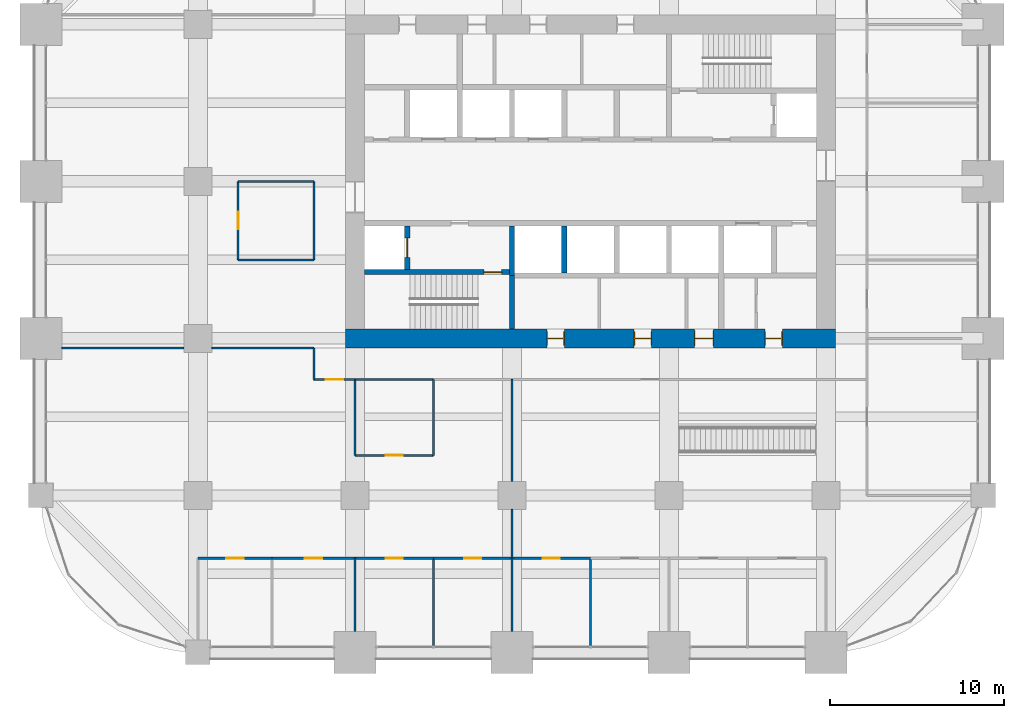
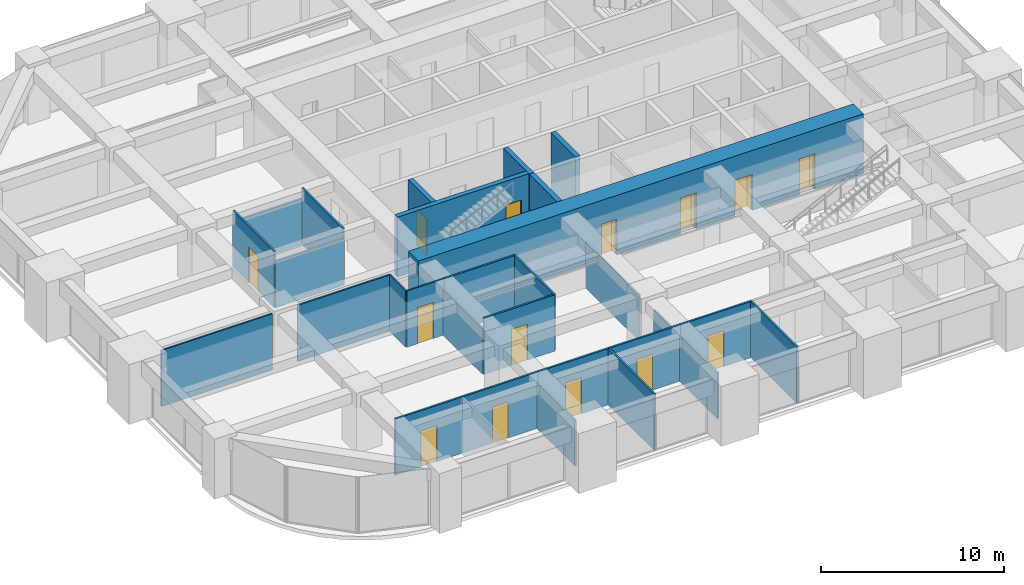
# One storey, part 29 of 34: 29 walls, 14 doors, 14 openings.
"""IFC4 building model written with IfcOpenShell, lengths in metres."""

from ifc_helpers import new_model, si_unit, direction, frame, frame_2d, origin, place, context, subcontext, project, spatial, rectangle, extrude, material, layer, layer_set, type_object, element, fill, save


model = new_model("IFC4")

# Units and contexts
model_context = context("Model", 3, precision=1e-05, world=origin(), true_north=direction((0.0, 1.0)))
body_context = subcontext(model_context, "Body", "Model", "MODEL_VIEW")
ifc_project = project(units=[si_unit("LENGTHUNIT", "METRE"), si_unit("AREAUNIT", "SQUARE_METRE"), si_unit("VOLUMEUNIT", "CUBIC_METRE"), si_unit("PLANEANGLEUNIT", "RADIAN"), si_unit("MASSUNIT", "GRAM", prefix="KILO")], contexts=[model_context])

# Site, building, storey
site_placement = place(None, origin())
site = spatial("IfcSite", under=ifc_project, at=site_placement, CompositionType="ELEMENT")
building_placement = place(site_placement, origin())
building = spatial("IfcBuilding", under=site, at=building_placement, Name="Zorevar Civic Tower", CompositionType="ELEMENT")
storey_placement = place(building_placement, frame((0.0, 0.0, 174.199951171875)))
storey = spatial("IfcBuildingStorey", under=building, at=storey_placement, Name="L42", CompositionType="ELEMENT", Elevation=174.199951171875)

# Wall, openings, doors
ifc_material_1 = material(Name="Concrete C50/60", Category="concrete")
ifc_layer_1 = layer(ifc_material_1, 1.10009765625)
ifc_layer_set_1 = layer_set([ifc_layer_1], Name="Core wall 1100")
wall_type_1 = type_object("IfcWallType", Name="Core wall 1100", PredefinedType="SHEAR", material=ifc_layer_set_1)
wall_1_placement = place(storey_placement, frame((17.449951171875, 18.0, 0.0), z_axis=(0.0, 0.0, 1.0), x_axis=(1.0, 0.0, 0.0)))
wall_1 = element("IfcWall", 1, at=wall_1_placement, inside=storey, type_object=wall_type_1, Name="Core wall S L42", PredefinedType="SHEAR", context=body_context, shape_type="SweptSolid", body=[
    extrude(rectangle(XDim=28.10009765625, YDim=1.10009765625, at=frame_2d((14.050048828125, 0.0))), origin(), (0.0, 0.0, 1.0), 4.0),
])
opening_1_placement = place(wall_1_placement, frame((11.550048828125, 0.0, 0.0)))
opening_1 = element("IfcOpeningElement", 2, at=opening_1_placement, cuts=wall_1, Name="Opening L42.03", PredefinedType="OPENING", context=body_context, shape_type="SweptSolid", body=[
    extrude(rectangle(XDim=1.0, YDim=2.39990234375, at=frame_2d((0.5, 1.199951171875))), frame((0.0, 0.56005859375, 0.0), z_axis=(0.0, -1.0, 0.0), x_axis=(1.0, 0.0, 0.0)), (0.0, 0.0, 1.0), 1.1201171875),
])
opening_2_placement = place(wall_1_placement, frame((16.550048828125, 0.0, 0.0)))
opening_2 = element("IfcOpeningElement", 3, at=opening_2_placement, cuts=wall_1, Name="Opening L42.04", PredefinedType="OPENING", context=body_context, shape_type="SweptSolid", body=[
    extrude(rectangle(XDim=1.0, YDim=2.39990234375, at=frame_2d((0.5, 1.199951171875))), frame((0.0, 0.56005859375, 0.0), z_axis=(0.0, -1.0, 0.0), x_axis=(1.0, 0.0, 0.0)), (0.0, 0.0, 1.0), 1.1201171875),
])
opening_3_placement = place(wall_1_placement, frame((20.0, 0.0, 0.0)))
opening_3 = element("IfcOpeningElement", 4, at=opening_3_placement, cuts=wall_1, Name="Opening L42.05", PredefinedType="OPENING", context=body_context, shape_type="SweptSolid", body=[
    extrude(rectangle(XDim=1.10009765625, YDim=2.39990234375, at=frame_2d((0.550048828125, 1.199951171875))), frame((0.0, 0.56005859375, 0.0), z_axis=(0.0, -1.0, 0.0), x_axis=(1.0, 0.0, 0.0)), (0.0, 0.0, 1.0), 1.1201171875),
])
opening_4_placement = place(wall_1_placement, frame((24.050048828125, 0.0, 0.0)))
opening_4 = element("IfcOpeningElement", 5, at=opening_4_placement, cuts=wall_1, Name="Opening L42.06", PredefinedType="OPENING", context=body_context, shape_type="SweptSolid", body=[
    extrude(rectangle(XDim=1.0, YDim=2.39990234375, at=frame_2d((0.5, 1.199951171875))), frame((0.0, 0.56005859375, 0.0), z_axis=(0.0, -1.0, 0.0), x_axis=(1.0, 0.0, 0.0)), (0.0, 0.0, 1.0), 1.1201171875),
])
ifc_material_2 = material(Name="Timber door set", Category="wood")
door_type_1 = type_object("IfcDoorType", Name="Door D1 1000x2400", OperationType="SINGLE_SWING_LEFT", PredefinedType="DOOR", material=ifc_material_2)
door_1_placement = place(opening_1_placement, origin())
door_1 = element("IfcDoor", 6, at=door_1_placement, inside=storey, type_object=door_type_1, Name="Door L42 02", OperationType="SINGLE_SWING_RIGHT", OverallHeight=2.39990234375, OverallWidth=1.0, PredefinedType="DOOR", context=body_context, shape_type="SweptSolid", body=[
    extrude(rectangle(XDim=1.0, YDim=2.39990234375, at=frame_2d((0.5, 1.199951171875))), frame((0.0, 0.02490234375, 0.0), z_axis=(0.0, -1.0, 0.0), x_axis=(1.0, 0.0, 0.0)), (0.0, 0.0, 1.0), 0.050048828125),
    extrude(rectangle(XDim=0.04, YDim=2.39990234375, at=frame_2d((0.02001953125, 1.199951171875))), frame((0.0, 0.39990234375, 0.0), z_axis=(0.0, -1.0, 0.0), x_axis=(1.0, 0.0, 0.0)), (0.0, 0.0, 1.0), 0.800048828125),
    extrude(rectangle(XDim=0.04, YDim=2.39990234375, at=frame_2d((0.97998046875, 1.199951171875))), frame((0.0, 0.39990234375, 0.0), z_axis=(0.0, -1.0, 0.0), x_axis=(1.0, 0.0, 0.0)), (0.0, 0.0, 1.0), 0.800048828125),
    extrude(rectangle(XDim=1.0, YDim=0.04, at=frame_2d((0.5, 2.3798828125))), frame((0.0, 0.39990234375, 0.0), z_axis=(0.0, -1.0, 0.0), x_axis=(1.0, 0.0, 0.0)), (0.0, 0.0, 1.0), 0.800048828125),
])
fill(opening_1, door_1)
door_2_placement = place(opening_2_placement, origin())
door_2 = element("IfcDoor", 7, at=door_2_placement, inside=storey, type_object=door_type_1, Name="Door L42 03", OperationType="SINGLE_SWING_LEFT", OverallHeight=2.39990234375, OverallWidth=1.0, PredefinedType="DOOR", context=body_context, shape_type="SweptSolid", body=[
    extrude(rectangle(XDim=1.0, YDim=2.39990234375, at=frame_2d((0.5, 1.199951171875))), frame((0.0, 0.02490234375, 0.0), z_axis=(0.0, -1.0, 0.0), x_axis=(1.0, 0.0, 0.0)), (0.0, 0.0, 1.0), 0.050048828125),
    extrude(rectangle(XDim=0.04, YDim=2.39990234375, at=frame_2d((0.02001953125, 1.199951171875))), frame((0.0, 0.39990234375, 0.0), z_axis=(0.0, -1.0, 0.0), x_axis=(1.0, 0.0, 0.0)), (0.0, 0.0, 1.0), 0.800048828125),
    extrude(rectangle(XDim=0.04, YDim=2.39990234375, at=frame_2d((0.97998046875, 1.199951171875))), frame((0.0, 0.39990234375, 0.0), z_axis=(0.0, -1.0, 0.0), x_axis=(1.0, 0.0, 0.0)), (0.0, 0.0, 1.0), 0.800048828125),
    extrude(rectangle(XDim=1.0, YDim=0.04, at=frame_2d((0.5, 2.3798828125))), frame((0.0, 0.39990234375, 0.0), z_axis=(0.0, -1.0, 0.0), x_axis=(1.0, 0.0, 0.0)), (0.0, 0.0, 1.0), 0.800048828125),
])
fill(opening_2, door_2)
door_3_placement = place(opening_4_placement, origin())
door_3 = element("IfcDoor", 8, at=door_3_placement, inside=storey, type_object=door_type_1, Name="Door L42 05", OperationType="SINGLE_SWING_LEFT", OverallHeight=2.39990234375, OverallWidth=1.0, PredefinedType="DOOR", context=body_context, shape_type="SweptSolid", body=[
    extrude(rectangle(XDim=1.0, YDim=2.39990234375, at=frame_2d((0.5, 1.199951171875))), frame((0.0, 0.02490234375, 0.0), z_axis=(0.0, -1.0, 0.0), x_axis=(1.0, 0.0, 0.0)), (0.0, 0.0, 1.0), 0.050048828125),
    extrude(rectangle(XDim=0.04, YDim=2.39990234375, at=frame_2d((0.02001953125, 1.199951171875))), frame((0.0, 0.39990234375, 0.0), z_axis=(0.0, -1.0, 0.0), x_axis=(1.0, 0.0, 0.0)), (0.0, 0.0, 1.0), 0.800048828125),
    extrude(rectangle(XDim=0.04, YDim=2.39990234375, at=frame_2d((0.97998046875, 1.199951171875))), frame((0.0, 0.39990234375, 0.0), z_axis=(0.0, -1.0, 0.0), x_axis=(1.0, 0.0, 0.0)), (0.0, 0.0, 1.0), 0.800048828125),
    extrude(rectangle(XDim=1.0, YDim=0.04, at=frame_2d((0.5, 2.3798828125))), frame((0.0, 0.39990234375, 0.0), z_axis=(0.0, -1.0, 0.0), x_axis=(1.0, 0.0, 0.0)), (0.0, 0.0, 1.0), 0.800048828125),
])
fill(opening_4, door_3)
ifc_material_3 = material(Name="Timber door set", Category="wood")
door_type_2 = type_object("IfcDoorType", Name="Door D5 1100x2400", OperationType="SINGLE_SWING_LEFT", PredefinedType="DOOR", material=ifc_material_3)
door_4_placement = place(opening_3_placement, origin())
door_4 = element("IfcDoor", 9, at=door_4_placement, inside=storey, type_object=door_type_2, Name="Door L42 04", OperationType="SINGLE_SWING_LEFT", OverallHeight=2.39990234375, OverallWidth=1.10009765625, PredefinedType="DOOR", context=body_context, shape_type="SweptSolid", body=[
    extrude(rectangle(XDim=1.10009765625, YDim=2.39990234375, at=frame_2d((0.550048828125, 1.199951171875))), frame((0.0, 0.02490234375, 0.0), z_axis=(0.0, -1.0, 0.0), x_axis=(1.0, 0.0, 0.0)), (0.0, 0.0, 1.0), 0.050048828125),
    extrude(rectangle(XDim=0.04, YDim=2.39990234375, at=frame_2d((0.02001953125, 1.199951171875))), frame((0.0, 0.43994140625, 0.0), z_axis=(0.0, -1.0, 0.0), x_axis=(1.0, 0.0, 0.0)), (0.0, 0.0, 1.0), 0.880126953125),
    extrude(rectangle(XDim=0.04, YDim=2.39990234375, at=frame_2d((1.080078125, 1.199951171875))), frame((0.0, 0.43994140625, 0.0), z_axis=(0.0, -1.0, 0.0), x_axis=(1.0, 0.0, 0.0)), (0.0, 0.0, 1.0), 0.880126953125),
    extrude(rectangle(XDim=1.10009765625, YDim=0.04, at=frame_2d((0.550048828125, 2.3798828125))), frame((0.0, 0.43994140625, 0.0), z_axis=(0.0, -1.0, 0.0), x_axis=(1.0, 0.0, 0.0)), (0.0, 0.0, 1.0), 0.880126953125),
])
fill(opening_3, door_4)

# Wall, opening, door
ifc_material_4 = material(Name="Laminated glass in black aluminium frame", Category="aluminium")
ifc_layer_2 = layer(ifc_material_4, 0.10009765625)
ifc_layer_set_2 = layer_set([ifc_layer_2], Name="Glazed partition 100")
wall_type_2 = type_object("IfcWallType", Name="Glazed partition 100", PredefinedType="PARTITIONING", material=ifc_layer_set_2)
wall_2_placement = place(storey_placement, frame((15.64990234375, 15.64990234375, 0.0), z_axis=(0.0, 0.0, 1.0), x_axis=(1.0, 0.0, 0.0)))
wall_2 = element("IfcWall", 10, at=wall_2_placement, inside=storey, type_object=wall_type_2, Name="Glazed partition 100 L42", PredefinedType="PARTITIONING", context=body_context, shape_type="SweptSolid", body=[
    extrude(rectangle(XDim=2.35009765625, YDim=0.10009765625, at=frame_2d((1.175048828125, 0.0))), origin(), (0.0, 0.0, 1.0), 3.75),
])
opening_5_placement = place(wall_2_placement, frame((0.675048828125, 0.0, 0.0)))
opening_5 = element("IfcOpeningElement", 11, at=opening_5_placement, cuts=wall_2, Name="Opening L42.26", PredefinedType="OPENING", context=body_context, shape_type="SweptSolid", body=[
    extrude(rectangle(XDim=1.0, YDim=2.39990234375, at=frame_2d((0.5, 1.199951171875))), frame((0.0, 0.06005859375, 0.0), z_axis=(0.0, -1.0, 0.0), x_axis=(1.0, 0.0, 0.0)), (0.0, 0.0, 1.0), 0.1201171875),
])
ifc_material_5 = material(Name="Timber door set", Category="wood")
door_type_3 = type_object("IfcDoorType", Name="Glazed door GD1 1000x2400", OperationType="SINGLE_SWING_LEFT", PredefinedType="DOOR", material=ifc_material_5)
door_5_placement = place(opening_5_placement, origin())
door_5 = element("IfcDoor", 12, at=door_5_placement, inside=storey, type_object=door_type_3, Name="Door L42 D1", OperationType="SINGLE_SWING_RIGHT", OverallHeight=2.39990234375, OverallWidth=1.0, PredefinedType="DOOR", context=body_context, shape_type="SweptSolid", body=[
    extrude(rectangle(XDim=1.0, YDim=2.39990234375, at=frame_2d((0.5, 1.199951171875))), frame((0.0, 0.02001953125, 0.0), z_axis=(0.0, -1.0, 0.0), x_axis=(1.0, 0.0, 0.0)), (0.0, 0.0, 1.0), 0.0400390625),
])
fill(opening_5, door_5)

# Walls
wall_3_placement = place(storey_placement, frame((1.199951171875, 17.449951171875, 0.0), z_axis=(0.0, 0.0, 1.0), x_axis=(1.0, 0.0, 0.0)))
element("IfcWall", 13, at=wall_3_placement, inside=storey, type_object=wall_type_2, Name="Glazed partition 100 L42", PredefinedType="PARTITIONING", context=body_context, shape_type="SweptSolid", body=[
    extrude(rectangle(XDim=7.0, YDim=0.10009765625, at=frame_2d((3.5, 0.0))), origin(), (0.0, 0.0, 1.0), 3.75),
])
wall_4_placement = place(storey_placement, frame((9.800048828125, 17.449951171875, 0.0), z_axis=(0.0, 0.0, 1.0), x_axis=(1.0, 0.0, 0.0)))
element("IfcWall", 14, at=wall_4_placement, inside=storey, type_object=wall_type_2, Name="Glazed partition 100 L42", PredefinedType="PARTITIONING", context=body_context, shape_type="SweptSolid", body=[
    extrude(rectangle(XDim=5.849853515625, YDim=0.10009765625, at=frame_2d((2.9248046875, 0.0))), origin(), (0.0, 0.0, 1.0), 3.75),
])
wall_5_placement = place(storey_placement, frame((15.64990234375, 15.64990234375, 0.0), z_axis=(0.0, 0.0, 1.0), x_axis=(0.0, 1.0, 0.0)))
element("IfcWall", 15, at=wall_5_placement, inside=storey, type_object=wall_type_2, Name="Glazed partition 100 L42", PredefinedType="PARTITIONING", context=body_context, shape_type="SweptSolid", body=[
    extrude(rectangle(XDim=1.800048828125, YDim=0.10009765625, at=frame_2d((0.89990234375, 0.0))), origin(), (0.0, 0.0, 1.0), 3.75),
])
wall_6_placement = place(storey_placement, frame((27.0, 5.39990234375, 0.0), z_axis=(0.0, 0.0, 1.0), x_axis=(0.0, 1.0, 0.0)))
element("IfcWall", 16, at=wall_6_placement, inside=storey, type_object=wall_type_2, Name="Glazed partition 100 L42", PredefinedType="PARTITIONING", context=body_context, shape_type="SweptSolid", body=[
    extrude(rectangle(XDim=2.800048828125, YDim=0.10009765625, at=frame_2d((1.39990234375, 0.0))), origin(), (0.0, 0.0, 1.0), 3.050048828125),
])
wall_7_placement = place(storey_placement, frame((27.0, 9.800048828125, 0.0), z_axis=(0.0, 0.0, 1.0), x_axis=(0.0, 1.0, 0.0)))
element("IfcWall", 17, at=wall_7_placement, inside=storey, type_object=wall_type_2, Name="Glazed partition 100 L42", PredefinedType="PARTITIONING", context=body_context, shape_type="SweptSolid", body=[
    extrude(rectangle(XDim=5.849853515625, YDim=0.10009765625, at=frame_2d((2.9248046875, 0.0))), origin(), (0.0, 0.0, 1.0), 3.050048828125),
])

# Wall, opening, door
ifc_material_6 = material(Name="Concrete C40/50", Category="concrete")
ifc_layer_3 = layer(ifc_material_6, 0.300048828125)
ifc_layer_set_3 = layer_set([ifc_layer_3], Name="Inner core wall 300")
wall_type_3 = type_object("IfcWallType", Name="Inner core wall 300", PredefinedType="SHEAR", material=ifc_layer_set_3)
wall_8_placement = place(storey_placement, frame((18.550048828125, 21.800048828125, 0.0), z_axis=(0.0, 0.0, 1.0), x_axis=(1.0, 0.0, 0.0)))
wall_8 = element("IfcWall", 18, at=wall_8_placement, inside=storey, type_object=wall_type_3, Name="Inner core wall S00 L42", PredefinedType="SHEAR", context=body_context, shape_type="SweptSolid", body=[
    extrude(rectangle(XDim=8.300048828125, YDim=0.300048828125, at=frame_2d((4.14990234375, 0.0))), origin(), (0.0, 0.0, 1.0), 4.0),
])
opening_6_placement = place(wall_8_placement, frame((6.85009765625, 0.0, 0.0)))
opening_6 = element("IfcOpeningElement", 19, at=opening_6_placement, cuts=wall_8, Name="Opening L42.11", PredefinedType="OPENING", context=body_context, shape_type="SweptSolid", body=[
    extrude(rectangle(XDim=1.0, YDim=2.39990234375, at=frame_2d((0.5, 1.199951171875))), frame((0.0, 0.159912109375, 0.0), z_axis=(0.0, -1.0, 0.0), x_axis=(1.0, 0.0, 0.0)), (0.0, 0.0, 1.0), 0.320068359375),
])
ifc_material_7 = material(Name="Steel door set", Category="steel")
door_type_4 = type_object("IfcDoorType", Name="Fire door FD1 1000x2400", OperationType="SINGLE_SWING_LEFT", PredefinedType="DOOR", material=ifc_material_7)
door_6_placement = place(opening_6_placement, origin())
door_6 = element("IfcDoor", 20, at=door_6_placement, inside=storey, type_object=door_type_4, Name="Door L42 10", OperationType="SINGLE_SWING_RIGHT", OverallHeight=2.39990234375, OverallWidth=1.0, PredefinedType="DOOR", context=body_context, shape_type="SweptSolid", body=[
    extrude(rectangle(XDim=1.0, YDim=2.39990234375, at=frame_2d((0.5, 1.199951171875))), frame((0.0, 0.030029296875, 0.0), z_axis=(0.0, -1.0, 0.0), x_axis=(1.0, 0.0, 0.0)), (0.0, 0.0, 1.0), 0.06005859375),
])
fill(opening_6, door_6)

# Wall
wall_9_placement = place(storey_placement, frame((27.0, 18.550048828125, 0.0), z_axis=(0.0, 0.0, 1.0), x_axis=(0.0, 1.0, 0.0)))
element("IfcWall", 21, at=wall_9_placement, inside=storey, type_object=wall_type_3, Name="Inner core wall S01 L42", PredefinedType="SHEAR", context=body_context, shape_type="SweptSolid", body=[
    extrude(rectangle(XDim=3.050048828125, YDim=0.300048828125, at=frame_2d((1.52490234375, 0.0))), origin(), (0.0, 0.0, 1.0), 4.0),
])

# Wall, opening, door
wall_10_placement = place(storey_placement, frame((21.0, 21.949951171875, 0.0), z_axis=(0.0, 0.0, 1.0), x_axis=(0.0, 1.0, 0.0)))
wall_10 = element("IfcWall", 22, at=wall_10_placement, inside=storey, type_object=wall_type_3, Name="Inner core wall S02 L42", PredefinedType="SHEAR", context=body_context, shape_type="SweptSolid", body=[
    extrude(rectangle(XDim=2.5, YDim=0.300048828125, at=frame_2d((1.25, 0.0))), origin(), (0.0, 0.0, 1.0), 4.0),
])
opening_7_placement = place(wall_10_placement, frame((0.699951171875, 0.0, 0.0)))
opening_7 = element("IfcOpeningElement", 23, at=opening_7_placement, cuts=wall_10, Name="Opening L42.FL1", PredefinedType="OPENING", context=body_context, shape_type="SweptSolid", body=[
    extrude(rectangle(XDim=1.10009765625, YDim=2.39990234375, at=frame_2d((0.550048828125, 1.199951171875))), frame((0.0, 0.159912109375, 0.0), z_axis=(0.0, -1.0, 0.0), x_axis=(1.0, 0.0, 0.0)), (0.0, 0.0, 1.0), 0.320068359375),
])
ifc_material_8 = material(Name="Steel door set", Category="steel")
door_type_5 = type_object("IfcDoorType", Name="Firefighting lift landing door LD3 1100x2400", OperationType="DOUBLE_DOOR_SLIDING", PredefinedType="DOOR", material=ifc_material_8)
door_7_placement = place(opening_7_placement, origin())
door_7 = element("IfcDoor", 24, at=door_7_placement, inside=storey, type_object=door_type_5, Name="Landing door FL1 L42", OperationType="DOUBLE_DOOR_SLIDING", OverallHeight=2.39990234375, OverallWidth=1.10009765625, PredefinedType="DOOR", context=body_context, shape_type="SweptSolid", body=[
    extrude(rectangle(XDim=1.10009765625, YDim=2.39990234375, at=frame_2d((0.550048828125, 1.199951171875))), frame((0.0, 0.030029296875, 0.0), z_axis=(0.0, -1.0, 0.0), x_axis=(1.0, 0.0, 0.0)), (0.0, 0.0, 1.0), 0.06005859375),
])
fill(opening_7, door_7)

# Walls
wall_11_placement = place(storey_placement, frame((30.0, 21.75, 0.0), z_axis=(0.0, 0.0, 1.0), x_axis=(0.0, 1.0, 0.0)))
element("IfcWall", 25, at=wall_11_placement, inside=storey, type_object=wall_type_3, Name="Inner core wall S05 L42", PredefinedType="SHEAR", context=body_context, shape_type="SweptSolid", body=[
    extrude(rectangle(XDim=2.699951171875, YDim=0.300048828125, at=frame_2d((1.35009765625, 0.0))), origin(), (0.0, 0.0, 1.0), 4.0),
])
wall_12_placement = place(storey_placement, frame((27.0, 21.60009765625, 0.0), z_axis=(0.0, 0.0, 1.0), x_axis=(0.0, 1.0, 0.0)))
element("IfcWall", 26, at=wall_12_placement, inside=storey, type_object=wall_type_3, Name="Inner core wall S10 L42", PredefinedType="SHEAR", context=body_context, shape_type="SweptSolid", body=[
    extrude(rectangle(XDim=2.849853515625, YDim=0.300048828125, at=frame_2d((1.4248046875, 0.0))), origin(), (0.0, 0.0, 1.0), 4.0),
])

# Wall, opening, door
ifc_material_9 = material(Name="Gypsum board on steel studs", Category="steel")
ifc_layer_4 = layer(ifc_material_9, 0.1201171875)
ifc_layer_set_4 = layer_set([ifc_layer_4], Name="Partition 120")
wall_type_4 = type_object("IfcWallType", Name="Partition 120", PredefinedType="PARTITIONING", material=ifc_layer_set_4)
wall_13_placement = place(storey_placement, frame((9.0, 5.39990234375, 0.0), z_axis=(0.0, 0.0, 1.0), x_axis=(1.0, 0.0, 0.0)))
wall_13 = element("IfcWall", 27, at=wall_13_placement, inside=storey, type_object=wall_type_4, Name="Partition 120 L42", PredefinedType="PARTITIONING", context=body_context, shape_type="SweptSolid", body=[
    extrude(rectangle(XDim=4.25, YDim=0.1201171875, at=frame_2d((2.125, 0.0))), origin(), (0.0, 0.0, 1.0), 3.75),
])
opening_8_placement = place(wall_13_placement, frame((1.625, 0.0, 0.0)))
opening_8 = element("IfcOpeningElement", 28, at=opening_8_placement, cuts=wall_13, Name="Opening L42.17", PredefinedType="OPENING", context=body_context, shape_type="SweptSolid", body=[
    extrude(rectangle(XDim=1.0, YDim=2.39990234375, at=frame_2d((0.5, 1.199951171875))), frame((0.0, 0.070068359375, 0.0), z_axis=(0.0, -1.0, 0.0), x_axis=(1.0, 0.0, 0.0)), (0.0, 0.0, 1.0), 0.14013671875),
])
door_8_placement = place(opening_8_placement, origin())
door_8 = element("IfcDoor", 29, at=door_8_placement, inside=storey, type_object=door_type_1, Name="Door L42 D1", OperationType="SINGLE_SWING_RIGHT", OverallHeight=2.39990234375, OverallWidth=1.0, PredefinedType="DOOR", context=body_context, shape_type="SweptSolid", body=[
    extrude(rectangle(XDim=1.0, YDim=2.39990234375, at=frame_2d((0.5, 1.199951171875))), frame((0.0, 0.02490234375, 0.0), z_axis=(0.0, -1.0, 0.0), x_axis=(1.0, 0.0, 0.0)), (0.0, 0.0, 1.0), 0.050048828125),
])
fill(opening_8, door_8)

wall_14_placement = place(storey_placement, frame((13.25, 5.39990234375, 0.0), z_axis=(0.0, 0.0, 1.0), x_axis=(1.0, 0.0, 0.0)))
wall_14 = element("IfcWall", 30, at=wall_14_placement, inside=storey, type_object=wall_type_4, Name="Partition 120 L42", PredefinedType="PARTITIONING", context=body_context, shape_type="SweptSolid", body=[
    extrude(rectangle(XDim=4.75, YDim=0.1201171875, at=frame_2d((2.375, 0.0))), origin(), (0.0, 0.0, 1.0), 3.75),
])
opening_9_placement = place(wall_14_placement, frame((1.875, 0.0, 0.0)))
opening_9 = element("IfcOpeningElement", 31, at=opening_9_placement, cuts=wall_14, Name="Opening L42.18", PredefinedType="OPENING", context=body_context, shape_type="SweptSolid", body=[
    extrude(rectangle(XDim=1.0, YDim=2.39990234375, at=frame_2d((0.5, 1.199951171875))), frame((0.0, 0.070068359375, 0.0), z_axis=(0.0, -1.0, 0.0), x_axis=(1.0, 0.0, 0.0)), (0.0, 0.0, 1.0), 0.14013671875),
])
door_9_placement = place(opening_9_placement, origin())
door_9 = element("IfcDoor", 32, at=door_9_placement, inside=storey, type_object=door_type_1, Name="Door L42 D1", OperationType="SINGLE_SWING_LEFT", OverallHeight=2.39990234375, OverallWidth=1.0, PredefinedType="DOOR", context=body_context, shape_type="SweptSolid", body=[
    extrude(rectangle(XDim=1.0, YDim=2.39990234375, at=frame_2d((0.5, 1.199951171875))), frame((0.0, 0.02490234375, 0.0), z_axis=(0.0, -1.0, 0.0), x_axis=(1.0, 0.0, 0.0)), (0.0, 0.0, 1.0), 0.050048828125),
])
fill(opening_9, door_9)

wall_15_placement = place(storey_placement, frame((18.0, 5.39990234375, 0.0), z_axis=(0.0, 0.0, 1.0), x_axis=(1.0, 0.0, 0.0)))
wall_15 = element("IfcWall", 33, at=wall_15_placement, inside=storey, type_object=wall_type_4, Name="Partition 120 L42", PredefinedType="PARTITIONING", context=body_context, shape_type="SweptSolid", body=[
    extrude(rectangle(XDim=4.5, YDim=0.1201171875, at=frame_2d((2.25, 0.0))), origin(), (0.0, 0.0, 1.0), 3.75),
])
opening_10_placement = place(wall_15_placement, frame((1.75, 0.0, 0.0)))
opening_10 = element("IfcOpeningElement", 34, at=opening_10_placement, cuts=wall_15, Name="Opening L42.19", PredefinedType="OPENING", context=body_context, shape_type="SweptSolid", body=[
    extrude(rectangle(XDim=1.0, YDim=2.39990234375, at=frame_2d((0.5, 1.199951171875))), frame((0.0, 0.070068359375, 0.0), z_axis=(0.0, -1.0, 0.0), x_axis=(1.0, 0.0, 0.0)), (0.0, 0.0, 1.0), 0.14013671875),
])
door_10_placement = place(opening_10_placement, origin())
door_10 = element("IfcDoor", 35, at=door_10_placement, inside=storey, type_object=door_type_1, Name="Door L42 D1", OperationType="SINGLE_SWING_LEFT", OverallHeight=2.39990234375, OverallWidth=1.0, PredefinedType="DOOR", context=body_context, shape_type="SweptSolid", body=[
    extrude(rectangle(XDim=1.0, YDim=2.39990234375, at=frame_2d((0.5, 1.199951171875))), frame((0.0, 0.02490234375, 0.0), z_axis=(0.0, -1.0, 0.0), x_axis=(1.0, 0.0, 0.0)), (0.0, 0.0, 1.0), 0.050048828125),
])
fill(opening_10, door_10)

wall_16_placement = place(storey_placement, frame((22.5, 5.39990234375, 0.0), z_axis=(0.0, 0.0, 1.0), x_axis=(1.0, 0.0, 0.0)))
wall_16 = element("IfcWall", 36, at=wall_16_placement, inside=storey, type_object=wall_type_4, Name="Partition 120 L42", PredefinedType="PARTITIONING", context=body_context, shape_type="SweptSolid", body=[
    extrude(rectangle(XDim=4.5, YDim=0.1201171875, at=frame_2d((2.25, 0.0))), origin(), (0.0, 0.0, 1.0), 3.75),
])
opening_11_placement = place(wall_16_placement, frame((1.75, 0.0, 0.0)))
opening_11 = element("IfcOpeningElement", 37, at=opening_11_placement, cuts=wall_16, Name="Opening L42.20", PredefinedType="OPENING", context=body_context, shape_type="SweptSolid", body=[
    extrude(rectangle(XDim=1.0, YDim=2.39990234375, at=frame_2d((0.5, 1.199951171875))), frame((0.0, 0.070068359375, 0.0), z_axis=(0.0, -1.0, 0.0), x_axis=(1.0, 0.0, 0.0)), (0.0, 0.0, 1.0), 0.14013671875),
])
door_11_placement = place(opening_11_placement, origin())
door_11 = element("IfcDoor", 38, at=door_11_placement, inside=storey, type_object=door_type_1, Name="Door L42 D1", OperationType="SINGLE_SWING_LEFT", OverallHeight=2.39990234375, OverallWidth=1.0, PredefinedType="DOOR", context=body_context, shape_type="SweptSolid", body=[
    extrude(rectangle(XDim=1.0, YDim=2.39990234375, at=frame_2d((0.5, 1.199951171875))), frame((0.0, 0.02490234375, 0.0), z_axis=(0.0, -1.0, 0.0), x_axis=(1.0, 0.0, 0.0)), (0.0, 0.0, 1.0), 0.050048828125),
])
fill(opening_11, door_11)

wall_17_placement = place(storey_placement, frame((27.0, 5.39990234375, 0.0), z_axis=(0.0, 0.0, 1.0), x_axis=(1.0, 0.0, 0.0)))
wall_17 = element("IfcWall", 39, at=wall_17_placement, inside=storey, type_object=wall_type_4, Name="Partition 120 L42", PredefinedType="PARTITIONING", context=body_context, shape_type="SweptSolid", body=[
    extrude(rectangle(XDim=4.5, YDim=0.1201171875, at=frame_2d((2.25, 0.0))), origin(), (0.0, 0.0, 1.0), 3.75),
])
opening_12_placement = place(wall_17_placement, frame((1.75, 0.0, 0.0)))
opening_12 = element("IfcOpeningElement", 40, at=opening_12_placement, cuts=wall_17, Name="Opening L42.21", PredefinedType="OPENING", context=body_context, shape_type="SweptSolid", body=[
    extrude(rectangle(XDim=1.0, YDim=2.39990234375, at=frame_2d((0.5, 1.199951171875))), frame((0.0, 0.070068359375, 0.0), z_axis=(0.0, -1.0, 0.0), x_axis=(1.0, 0.0, 0.0)), (0.0, 0.0, 1.0), 0.14013671875),
])
door_12_placement = place(opening_12_placement, origin())
door_12 = element("IfcDoor", 41, at=door_12_placement, inside=storey, type_object=door_type_1, Name="Door L42 D1", OperationType="SINGLE_SWING_RIGHT", OverallHeight=2.39990234375, OverallWidth=1.0, PredefinedType="DOOR", context=body_context, shape_type="SweptSolid", body=[
    extrude(rectangle(XDim=1.0, YDim=2.39990234375, at=frame_2d((0.5, 1.199951171875))), frame((0.0, 0.02490234375, 0.0), z_axis=(0.0, -1.0, 0.0), x_axis=(1.0, 0.0, 0.0)), (0.0, 0.0, 1.0), 0.050048828125),
])
fill(opening_12, door_12)

wall_18_placement = place(storey_placement, frame((18.0, 11.300048828125, 0.0), z_axis=(0.0, 0.0, 1.0), x_axis=(1.0, 0.0, 0.0)))
wall_18 = element("IfcWall", 42, at=wall_18_placement, inside=storey, type_object=wall_type_4, Name="Partition 120 L42", PredefinedType="PARTITIONING", context=body_context, shape_type="SweptSolid", body=[
    extrude(rectangle(XDim=4.5, YDim=0.1201171875, at=frame_2d((2.25, 0.0))), origin(), (0.0, 0.0, 1.0), 3.75),
])
opening_13_placement = place(wall_18_placement, frame((1.75, 0.0, 0.0)))
opening_13 = element("IfcOpeningElement", 43, at=opening_13_placement, cuts=wall_18, Name="Opening L42.25", PredefinedType="OPENING", context=body_context, shape_type="SweptSolid", body=[
    extrude(rectangle(XDim=1.0, YDim=2.39990234375, at=frame_2d((0.5, 1.199951171875))), frame((0.0, 0.070068359375, 0.0), z_axis=(0.0, -1.0, 0.0), x_axis=(1.0, 0.0, 0.0)), (0.0, 0.0, 1.0), 0.14013671875),
])
door_13_placement = place(opening_13_placement, origin())
door_13 = element("IfcDoor", 44, at=door_13_placement, inside=storey, type_object=door_type_1, Name="Door L42 D1", OperationType="SINGLE_SWING_RIGHT", OverallHeight=2.39990234375, OverallWidth=1.0, PredefinedType="DOOR", context=body_context, shape_type="SweptSolid", body=[
    extrude(rectangle(XDim=1.0, YDim=2.39990234375, at=frame_2d((0.5, 1.199951171875))), frame((0.0, 0.02490234375, 0.0), z_axis=(0.0, -1.0, 0.0), x_axis=(1.0, 0.0, 0.0)), (0.0, 0.0, 1.0), 0.050048828125),
])
fill(opening_13, door_13)

# Walls
wall_19_placement = place(storey_placement, frame((18.0, 15.64990234375, 0.0), z_axis=(0.0, 0.0, 1.0), x_axis=(1.0, 0.0, 0.0)))
element("IfcWall", 45, at=wall_19_placement, inside=storey, type_object=wall_type_4, Name="Partition 120 L42", PredefinedType="PARTITIONING", context=body_context, shape_type="SweptSolid", body=[
    extrude(rectangle(XDim=4.5, YDim=0.1201171875, at=frame_2d((2.25, 0.0))), origin(), (0.0, 0.0, 1.0), 3.75),
])
wall_20_placement = place(storey_placement, frame((11.300048828125, 22.5, 0.0), z_axis=(0.0, 0.0, 1.0), x_axis=(1.0, 0.0, 0.0)))
element("IfcWall", 46, at=wall_20_placement, inside=storey, type_object=wall_type_4, Name="Partition 120 L42", PredefinedType="PARTITIONING", context=body_context, shape_type="SweptSolid", body=[
    extrude(rectangle(XDim=4.349853515625, YDim=0.1201171875, at=frame_2d((2.1748046875, 0.0))), origin(), (0.0, 0.0, 1.0), 3.10009765625),
])
wall_21_placement = place(storey_placement, frame((11.300048828125, 27.0, 0.0), z_axis=(0.0, 0.0, 1.0), x_axis=(1.0, 0.0, 0.0)))
element("IfcWall", 47, at=wall_21_placement, inside=storey, type_object=wall_type_4, Name="Partition 120 L42", PredefinedType="PARTITIONING", context=body_context, shape_type="SweptSolid", body=[
    extrude(rectangle(XDim=4.349853515625, YDim=0.1201171875, at=frame_2d((2.1748046875, 0.0))), origin(), (0.0, 0.0, 1.0), 3.050048828125),
])

# Wall, opening, door
wall_22_placement = place(storey_placement, frame((11.300048828125, 22.5, 0.0), z_axis=(0.0, 0.0, 1.0), x_axis=(0.0, 1.0, 0.0)))
wall_22 = element("IfcWall", 48, at=wall_22_placement, inside=storey, type_object=wall_type_4, Name="Partition 120 L42", PredefinedType="PARTITIONING", context=body_context, shape_type="SweptSolid", body=[
    extrude(rectangle(XDim=4.5, YDim=0.1201171875, at=frame_2d((2.25, 0.0))), origin(), (0.0, 0.0, 1.0), 3.75),
])
opening_14_placement = place(wall_22_placement, frame((1.75, 0.0, 0.0)))
opening_14 = element("IfcOpeningElement", 49, at=opening_14_placement, cuts=wall_22, Name="Opening L42.30", PredefinedType="OPENING", context=body_context, shape_type="SweptSolid", body=[
    extrude(rectangle(XDim=1.0, YDim=2.39990234375, at=frame_2d((0.5, 1.199951171875))), frame((0.0, 0.070068359375, 0.0), z_axis=(0.0, -1.0, 0.0), x_axis=(1.0, 0.0, 0.0)), (0.0, 0.0, 1.0), 0.14013671875),
])
door_14_placement = place(opening_14_placement, origin())
door_14 = element("IfcDoor", 50, at=door_14_placement, inside=storey, type_object=door_type_1, Name="Door L42 D1", OperationType="SINGLE_SWING_RIGHT", OverallHeight=2.39990234375, OverallWidth=1.0, PredefinedType="DOOR", context=body_context, shape_type="SweptSolid", body=[
    extrude(rectangle(XDim=1.0, YDim=2.39990234375, at=frame_2d((0.5, 1.199951171875))), frame((0.0, 0.02490234375, 0.0), z_axis=(0.0, -1.0, 0.0), x_axis=(1.0, 0.0, 0.0)), (0.0, 0.0, 1.0), 0.050048828125),
])
fill(opening_14, door_14)

# Walls
wall_23_placement = place(storey_placement, frame((15.64990234375, 22.5, 0.0), z_axis=(0.0, 0.0, 1.0), x_axis=(0.0, 1.0, 0.0)))
element("IfcWall", 51, at=wall_23_placement, inside=storey, type_object=wall_type_4, Name="Partition 120 L42", PredefinedType="PARTITIONING", context=body_context, shape_type="SweptSolid", body=[
    extrude(rectangle(XDim=4.5, YDim=0.1201171875, at=frame_2d((2.25, 0.0))), origin(), (0.0, 0.0, 1.0), 3.75),
])
wall_24_placement = place(storey_placement, frame((18.0, 1.199951171875, 0.0), z_axis=(0.0, 0.0, 1.0), x_axis=(0.0, 1.0, 0.0)))
element("IfcWall", 52, at=wall_24_placement, inside=storey, type_object=wall_type_4, Name="Partition 120 L42", PredefinedType="PARTITIONING", context=body_context, shape_type="SweptSolid", body=[
    extrude(rectangle(XDim=4.199951171875, YDim=0.1201171875, at=frame_2d((2.10009765625, 0.0))), origin(), (0.0, 0.0, 1.0), 3.050048828125),
])
wall_25_placement = place(storey_placement, frame((18.0, 11.300048828125, 0.0), z_axis=(0.0, 0.0, 1.0), x_axis=(0.0, 1.0, 0.0)))
element("IfcWall", 53, at=wall_25_placement, inside=storey, type_object=wall_type_4, Name="Partition 120 L42", PredefinedType="PARTITIONING", context=body_context, shape_type="SweptSolid", body=[
    extrude(rectangle(XDim=4.349853515625, YDim=0.1201171875, at=frame_2d((2.1748046875, 0.0))), origin(), (0.0, 0.0, 1.0), 3.050048828125),
])
wall_26_placement = place(storey_placement, frame((22.5, 0.31005859375, 0.0), z_axis=(0.0, 0.0, 1.0), x_axis=(0.0, 1.0, 0.0)))
element("IfcWall", 54, at=wall_26_placement, inside=storey, type_object=wall_type_4, Name="Partition 120 L42", PredefinedType="PARTITIONING", context=body_context, shape_type="SweptSolid", body=[
    extrude(rectangle(XDim=5.08984375, YDim=0.1201171875, at=frame_2d((2.544921875, 0.0))), origin(), (0.0, 0.0, 1.0), 3.75),
])
wall_27_placement = place(storey_placement, frame((22.5, 11.300048828125, 0.0), z_axis=(0.0, 0.0, 1.0), x_axis=(0.0, 1.0, 0.0)))
element("IfcWall", 55, at=wall_27_placement, inside=storey, type_object=wall_type_4, Name="Partition 120 L42", PredefinedType="PARTITIONING", context=body_context, shape_type="SweptSolid", body=[
    extrude(rectangle(XDim=4.349853515625, YDim=0.1201171875, at=frame_2d((2.1748046875, 0.0))), origin(), (0.0, 0.0, 1.0), 3.75),
])
wall_28_placement = place(storey_placement, frame((27.0, 1.199951171875, 0.0), z_axis=(0.0, 0.0, 1.0), x_axis=(0.0, 1.0, 0.0)))
element("IfcWall", 56, at=wall_28_placement, inside=storey, type_object=wall_type_4, Name="Partition 120 L42", PredefinedType="PARTITIONING", context=body_context, shape_type="SweptSolid", body=[
    extrude(rectangle(XDim=4.199951171875, YDim=0.1201171875, at=frame_2d((2.10009765625, 0.0))), origin(), (0.0, 0.0, 1.0), 3.050048828125),
])
wall_29_placement = place(storey_placement, frame((31.5, 0.31005859375, 0.0), z_axis=(0.0, 0.0, 1.0), x_axis=(0.0, 1.0, 0.0)))
element("IfcWall", 57, at=wall_29_placement, inside=storey, type_object=wall_type_4, Name="Partition 120 L42", PredefinedType="PARTITIONING", context=body_context, shape_type="SweptSolid", body=[
    extrude(rectangle(XDim=5.08984375, YDim=0.1201171875, at=frame_2d((2.544921875, 0.0))), origin(), (0.0, 0.0, 1.0), 3.75),
])

save(model, "model.ifc")
